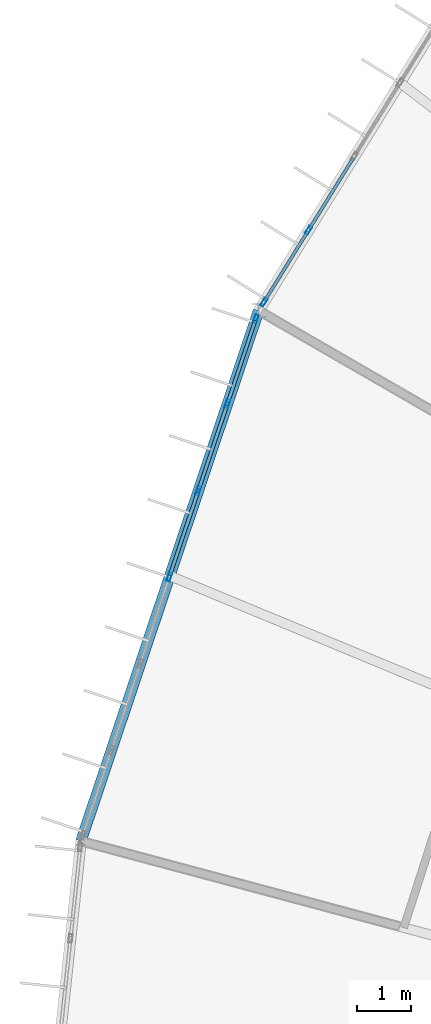
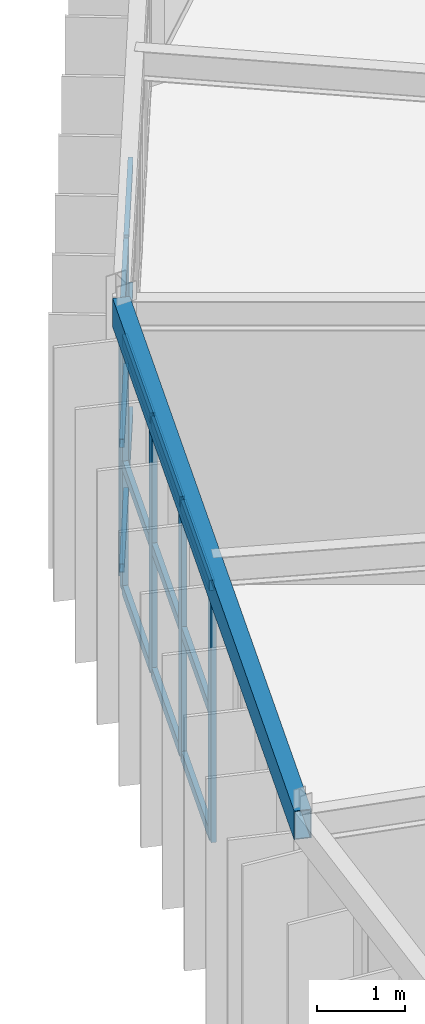
# One storey, part 54 of 106: 21 members, 1 beam, 2 elements without a shape of their own.
"""IFC4 building model written with IfcOpenShell, lengths in metres."""

import ifcopenshell
import ifcopenshell.guid

model = None  # the IFC model being written
_history = None  # IfcOwnerHistory: only IFC2X3 demands one
_inside = {}  # id of a spatial element -> (the spatial element, [elements in it])
_under = {}  # id of a project, library or spatial element -> (it, [spatial elements below it])
_declared = {}  # id of a project -> (the project, [libraries it declares])
_typed = {}  # id of a type object -> (the type object, [elements of that type])
_made_of = {}  # id of a material, layer set ... -> (it, [elements and type objects made of it])


def new_model(schema):
    """Start an empty IFC model of exactly this schema.

    Asked for "IFC4X3", IfcOpenShell would pick the latest addendum, in which some entities
    have other attributes; the version numbers below select the first issue.
    IFC2X3 requires an IfcOwnerHistory on every rooted entity: one is made here for all.
    """
    global model, _history
    if schema == "IFC4X3":
        model = ifcopenshell.file(schema_version=(4, 3, 0, 0))
    else:
        model = ifcopenshell.file(schema=schema)
    _inside.clear()
    _under.clear()
    _declared.clear()
    _typed.clear()
    _made_of.clear()
    _history = None
    if model.schema == "IFC2X3":
        org = make("IfcOrganization", Name="unknown")
        user = make(
            "IfcPersonAndOrganization",
            ThePerson=make("IfcPerson", FamilyName="unknown"),
            TheOrganization=org,
        )
        app = make(
            "IfcApplication",
            ApplicationDeveloper=org,
            Version="unknown",
            ApplicationFullName="unknown",
            ApplicationIdentifier="unknown",
        )
        _history = make(
            "IfcOwnerHistory",
            OwningUser=user,
            OwningApplication=app,
            ChangeAction="ADDED",
            CreationDate=0,
        )
    return model


def make(cls, **values):
    """One entity of the class cls with the attributes given. An attribute that is None is left unset."""
    return model.create_entity(
        cls, **{name: value for name, value in values.items() if value is not None}
    )


def rooted(cls, **values):
    """An entity with a GlobalId (a new one), such as an element, a storey or a relation."""
    return make(cls, GlobalId=ifcopenshell.guid.new(), OwnerHistory=_history, **values)


def si_unit(unit_type, name, prefix=None):
    """IfcSIUnit, for example si_unit("LENGTHUNIT", "METRE", prefix="MILLI")."""
    return make("IfcSIUnit", UnitType=unit_type, Prefix=prefix, Name=name)


def assignment(units):
    """IfcUnitAssignment: the units of a project."""
    return None if units is None else make("IfcUnitAssignment", Units=units)


def point(xyz):
    """IfcCartesianPoint."""
    return None if xyz is None else make("IfcCartesianPoint", Coordinates=xyz)


def direction(xyz):
    """IfcDirection."""
    return None if xyz is None else make("IfcDirection", DirectionRatios=xyz)


def frame(location, z_axis=None, x_axis=None):
    """IfcAxis2Placement3D, a coordinate frame: its origin and axes. An axis left out is left unset."""
    return make(
        "IfcAxis2Placement3D",
        Location=point(location),
        Axis=direction(z_axis),
        RefDirection=direction(x_axis),
    )


def frame_2d(location, x_axis=None):
    """IfcAxis2Placement2D, a coordinate frame in the plane: its origin and x axis."""
    return make(
        "IfcAxis2Placement2D", Location=point(location), RefDirection=direction(x_axis)
    )


def origin():
    """The frame at (0, 0, 0) with its axes left unset."""
    return frame((0.0, 0.0, 0.0))


def origin_2d():
    """The frame at (0, 0) in the plane with its x axis left unset."""
    return frame_2d((0.0, 0.0))


def place(relative_to, where):
    """IfcLocalPlacement: puts the frame where relative to a parent placement (None: the world)."""
    return make(
        "IfcLocalPlacement", PlacementRelTo=relative_to, RelativePlacement=where
    )


def context(
    kind, dimensions, precision=None, world=None, true_north=None, identifier=None
):
    """IfcGeometricRepresentationContext, for example the 3D "Model" context."""
    return make(
        "IfcGeometricRepresentationContext",
        ContextIdentifier=identifier,
        ContextType=kind,
        CoordinateSpaceDimension=dimensions,
        Precision=precision,
        WorldCoordinateSystem=world,
        TrueNorth=true_north,
    )


def subcontext(parent, identifier, kind, view, scale=None):
    """IfcGeometricRepresentationSubContext, for example "Body" below "Model"."""
    return make(
        "IfcGeometricRepresentationSubContext",
        ContextIdentifier=identifier,
        ContextType=kind,
        ParentContext=parent,
        TargetScale=scale,
        TargetView=view,
    )


def project(units=None, contexts=None):
    """IfcProject with its units and contexts."""
    return rooted(
        "IfcProject",
        Name="project",
        RepresentationContexts=contexts,
        UnitsInContext=assignment(units),
    )


def spatial(cls, under=None, at=None, **own):
    """A site, building, storey or space (cls), placed at a placement, below another one or the project."""
    s = rooted(cls, ObjectPlacement=at, **own)
    if under is not None:
        _under.setdefault(under.id(), (under, []))[1].append(s)
    return s


def profile(cls, at=None, kind="AREA", **sizes):
    """A parametric profile (cls). Its sizes go by their IFC names, for example OverallWidth=200.0."""
    return make(cls, ProfileType=kind, Position=at, **sizes)


def hollow_rectangle(**sizes):
    """IfcRectangleHollowProfileDef."""
    return profile("IfcRectangleHollowProfileDef", **sizes)


def extrude(swept, where, along, depth):
    """IfcExtrudedAreaSolid: the profile swept, set in the frame where, extruded along a direction by depth."""
    return make(
        "IfcExtrudedAreaSolid",
        SweptArea=swept,
        Position=where,
        ExtrudedDirection=direction(along),
        Depth=depth,
    )


def shape(context_of_items, identifier, shape_type, items):
    """IfcShapeRepresentation: the items that make up one representation, for example the "Body"."""
    return make(
        "IfcShapeRepresentation",
        ContextOfItems=context_of_items,
        RepresentationIdentifier=identifier,
        RepresentationType=shape_type,
        Items=items,
    )


def material(Name=None, Category=None):
    """IfcMaterial."""
    return make("IfcMaterial", Name=Name, Category=Category)


def material_profile(
    of_material, cross_section, Name=None, Category=None, Priority=None
):
    """IfcMaterialProfile: a cross section and its material."""
    return make(
        "IfcMaterialProfile",
        Name=Name,
        Material=of_material,
        Profile=cross_section,
        Priority=Priority,
        Category=Category,
    )


def profile_set(profiles, Name=None, composite=None):
    """IfcMaterialProfileSet."""
    return make(
        "IfcMaterialProfileSet",
        Name=Name,
        MaterialProfiles=profiles,
        CompositeProfile=composite,
    )


def made_of(thing, what):
    """Note that an element or type object is made of a material, layer set ...; save() writes the relation."""
    if what is not None:
        _made_of.setdefault(what.id(), (what, []))[1].append(thing)
    return thing


def type_object(cls, material=None, **own):
    """A type object (cls), such as IfcWallType, which elements share."""
    return made_of(rooted(cls, **own), material)


def element(
    cls,
    number,
    at=None,
    inside=None,
    cuts=None,
    type_object=None,
    material=None,
    context=None,
    identifier="Body",
    shape_type=None,
    held_by="IfcProductDefinitionShape",
    body=None,
    shapes=None,
    **own,
):
    """One element of the class cls, such as IfcWall. Its Tag is "e" and its number.

    at: its placement. inside: the storey or other place that contains it. cuts: it is an
    opening in that element (IfcRelVoidsElement). A single representation is given by context,
    identifier, shape_type and body (its items); several are given by shapes. held_by: the class
    of the entity that holds the representations. save() writes the other relations.
    """
    e = rooted(cls, Tag="e%d" % number, ObjectPlacement=at, **own)
    if body is not None:
        shapes = [shape(context, identifier, shape_type, body)]
    if shapes is not None:
        e.Representation = make(held_by, Representations=shapes)
    if inside is not None:
        _inside.setdefault(inside.id(), (inside, []))[1].append(e)
    if cuts is not None:
        rooted(
            "IfcRelVoidsElement", RelatingBuildingElement=cuts, RelatedOpeningElement=e
        )
    if type_object is not None:
        _typed.setdefault(type_object.id(), (type_object, []))[1].append(e)
    return made_of(e, material)


def aggregate(whole, parts):
    """IfcRelAggregates: a whole, such as a stair, and the parts it consists of."""
    return rooted("IfcRelAggregates", RelatingObject=whole, RelatedObjects=parts)


def save(model, path):
    """Write the relations noted so far, then the file.

    IfcRelAggregates (storeys below a building ...), IfcRelContainedInSpatialStructure (elements
    in a storey), IfcRelDefinesByType, IfcRelAssociatesMaterial and IfcRelDeclares: one each for
    every whole, place, type object, material and project.
    """
    for whole, parts in _under.values():
        aggregate(whole, parts)
    for where, things in _inside.values():
        rooted(
            "IfcRelContainedInSpatialStructure",
            RelatedElements=things,
            RelatingStructure=where,
        )
    for kind, things in _typed.values():
        rooted("IfcRelDefinesByType", RelatedObjects=things, RelatingType=kind)
    for what, things in _made_of.values():
        rooted("IfcRelAssociatesMaterial", RelatedObjects=things, RelatingMaterial=what)
    for by, libraries in _declared.values():
        rooted("IfcRelDeclares", RelatingContext=by, RelatedDefinitions=libraries)
    model.write(path)


model = new_model("IFC4")

# Units and contexts
model_context = context("Model", 3, precision=1e-05, world=origin(), true_north=direction((0.0, 1.0)))
body_context = subcontext(model_context, "Body", "Model", "MODEL_VIEW")
ifc_project = project(units=[si_unit("LENGTHUNIT", "METRE"), si_unit("AREAUNIT", "SQUARE_METRE"), si_unit("VOLUMEUNIT", "CUBIC_METRE"), si_unit("PLANEANGLEUNIT", "RADIAN"), si_unit("MASSUNIT", "GRAM", prefix="KILO")], contexts=[model_context])

# Site, building, storey
site_placement = place(None, origin())
site = spatial("IfcSite", under=ifc_project, at=site_placement, CompositionType="ELEMENT")
building_placement = place(site_placement, origin())
building = spatial("IfcBuilding", under=site, at=building_placement, Name="Karori Crest Natural Sciences Institute", CompositionType="ELEMENT")
storey_placement = place(building_placement, frame((0.0, 0.0, 25.89990234375)))
storey = spatial("IfcBuildingStorey", under=building, at=storey_placement, Name="L06", CompositionType="ELEMENT", Elevation=25.89990234375)

# Beam
ifc_material_1 = material(Name="Hollow structural steel AS/NZS 1163 Grade C350", Category="steel")
ifc_material_profile_1 = material_profile(ifc_material_1, hollow_rectangle(XDim=0.199951171875, YDim=0.39990234375, WallThickness=0.012451171875, at=origin_2d()), Name="RHS400x200x12.5")
ifc_profile_set_1 = profile_set([ifc_material_profile_1], Name="Hollow structural steel AS/NZS 1163 Grade C350")
beam_type = type_object("IfcBeamType", Name="BT-14", PredefinedType="SPANDREL", material=ifc_profile_set_1)
beam_placement = place(storey_placement, frame((37.8212890625, 70.300048828125, 3.739990234375), z_axis=(-0.317681238028, -0.948197569605, 0.0), x_axis=(0.948197569605, -0.317681238028, 0.0)))
element("IfcBeam", 1, at=beam_placement, inside=storey, type_object=beam_type, Name="Beam B-0674", PredefinedType="SPANDREL", context=body_context, shape_type="SweptSolid", body=[
    extrude(hollow_rectangle(XDim=0.199951171875, YDim=0.39990234375, WallThickness=0.012451171875, at=origin_2d()), origin(), (0.0, 0.0, 1.0), 10.3779296875),
])

# Curtain wall, members
ifc_material_2 = material(Name="Anodised architectural aluminium 6063-T6", Category="aluminium")
curtain_wall_type_1 = type_object("IfcCurtainWallType", Name="CWT-10", PredefinedType="NOTDEFINED", material=ifc_material_2)
curtain_wall_1_placement = place(storey_placement, origin())
curtain_wall_1 = element("IfcCurtainWall", 2, at=curtain_wall_1_placement, inside=storey, type_object=curtain_wall_type_1, Name="Curtain wall CW-0234", PredefinedType="NOTDEFINED")
ifc_material_profile_2 = material_profile(ifc_material_2, hollow_rectangle(XDim=0.06494140625, YDim=0.159912109375, WallThickness=0.00390625, at=origin_2d()), Name="CWM160x65x4")
ifc_profile_set_2 = profile_set([ifc_material_profile_2], Name="Anodised architectural aluminium 6063-T6")
member_type_1 = type_object("IfcMemberType", Name="CWM-01", PredefinedType="MULLION", material=ifc_profile_set_2)
member_1_placement = place(storey_placement, frame((37.916259765625, 70.452880859375, 0.0), z_axis=(0.0, 0.0, 1.0), x_axis=(-0.849664350398, 0.527323896352, 0.0)))
member_1 = element("IfcMember", 3, at=member_1_placement, type_object=member_type_1, Name="CW-0234 mullion 1", PredefinedType="MULLION", context=body_context, shape_type="SweptSolid", body=[
    extrude(hollow_rectangle(XDim=0.06494140625, YDim=0.159912109375, WallThickness=0.00390625, at=origin_2d()), origin(), (0.0, 0.0, 1.0), 3.525146484375),
])
member_2_placement = place(storey_placement, frame((38.746826171875, 71.791259765625, 0.0), z_axis=(0.0, 0.0, 1.0), x_axis=(-0.849664350398, 0.527323896352, 0.0)))
member_2 = element("IfcMember", 4, at=member_2_placement, type_object=member_type_1, Name="CW-0234 mullion 2", PredefinedType="MULLION", context=body_context, shape_type="SweptSolid", body=[
    extrude(hollow_rectangle(XDim=0.06494140625, YDim=0.159912109375, WallThickness=0.00390625, at=origin_2d()), origin(), (0.0, 0.0, 1.0), 3.525146484375),
])

curtain_wall_type_2 = type_object("IfcCurtainWallType", Name="CWT-01", PredefinedType="NOTDEFINED", material=ifc_material_2)
curtain_wall_2_placement = place(storey_placement, origin())
curtain_wall_2 = element("IfcCurtainWall", 5, at=curtain_wall_2_placement, inside=storey, type_object=curtain_wall_type_2, Name="Curtain wall CW-0235", PredefinedType="NOTDEFINED")
member_3_placement = place(storey_placement, frame((36.1650390625, 65.35693359375, 0.0), z_axis=(0.0, 0.0, 1.0), x_axis=(-0.94819805026, 0.317679803392, 0.0)))
member_3 = element("IfcMember", 6, at=member_3_placement, type_object=member_type_1, Name="CW-0235 mullion 4", PredefinedType="MULLION", context=body_context, shape_type="SweptSolid", body=[
    extrude(hollow_rectangle(XDim=0.06494140625, YDim=0.159912109375, WallThickness=0.00390625, at=origin_2d()), origin(), (0.0, 0.0, 1.0), 3.525146484375),
])
member_4_placement = place(storey_placement, frame((36.703125, 66.962890625, 0.0), z_axis=(0.0, 0.0, 1.0), x_axis=(-0.94819805026, 0.317679803392, 0.0)))
member_4 = element("IfcMember", 7, at=member_4_placement, type_object=member_type_1, Name="CW-0235 mullion 5", PredefinedType="MULLION", context=body_context, shape_type="SweptSolid", body=[
    extrude(hollow_rectangle(XDim=0.06494140625, YDim=0.159912109375, WallThickness=0.00390625, at=origin_2d()), origin(), (0.0, 0.0, 1.0), 3.525146484375),
])
member_5_placement = place(storey_placement, frame((37.2412109375, 68.56884765625, 0.0), z_axis=(0.0, 0.0, 1.0), x_axis=(-0.94819805026, 0.317679803392, 0.0)))
member_5 = element("IfcMember", 8, at=member_5_placement, type_object=member_type_1, Name="CW-0235 mullion 6", PredefinedType="MULLION", context=body_context, shape_type="SweptSolid", body=[
    extrude(hollow_rectangle(XDim=0.06494140625, YDim=0.159912109375, WallThickness=0.00390625, at=origin_2d()), origin(), (0.0, 0.0, 1.0), 3.525146484375),
])
member_6_placement = place(storey_placement, frame((37.76904296875, 70.14404296875, 0.0), z_axis=(0.0, 0.0, 1.0), x_axis=(-0.94819805026, 0.317679803392, 0.0)))
member_6 = element("IfcMember", 9, at=member_6_placement, type_object=member_type_1, Name="CW-0235 mullion 7", PredefinedType="MULLION", context=body_context, shape_type="SweptSolid", body=[
    extrude(hollow_rectangle(XDim=0.06494140625, YDim=0.159912109375, WallThickness=0.00390625, at=origin_2d()), origin(), (0.0, 0.0, 1.0), 3.525146484375),
])

# Member
ifc_material_profile_3 = material_profile(ifc_material_2, hollow_rectangle(XDim=0.06005859375, YDim=0.1201171875, WallThickness=0.00390625, at=origin_2d()), Name="CWT120x60x4")
ifc_profile_set_3 = profile_set([ifc_material_profile_3], Name="Anodised architectural aluminium 6063-T6")
member_type_2 = type_object("IfcMemberType", Name="CWT-TR1", PredefinedType="USERDEFINED", material=ifc_profile_set_3)
member_7_placement = place(storey_placement, frame((37.933349609375, 70.48046875, 0.030029296875), z_axis=(0.52732262058, 0.849665142173, 0.0), x_axis=(-0.849665142173, 0.52732262058, 0.0)))
member_7 = element("IfcMember", 10, at=member_7_placement, type_object=member_type_2, Name="CW-0234 transom 1.1", ObjectType="TRANSOM", PredefinedType="USERDEFINED", context=body_context, shape_type="SweptSolid", body=[
    extrude(hollow_rectangle(XDim=0.06005859375, YDim=0.1201171875, WallThickness=0.00390625, at=origin_2d()), origin(), (0.0, 0.0, 1.0), 1.51025390625),
])

member_8_placement = place(storey_placement, frame((37.933349609375, 70.48046875, 1.7626953125), z_axis=(0.52732262058, 0.849665142173, 0.0), x_axis=(-0.849665142173, 0.52732262058, 0.0)))
member_8 = element("IfcMember", 11, at=member_8_placement, type_object=member_type_2, Name="CW-0234 transom 1.2", ObjectType="TRANSOM", PredefinedType="USERDEFINED", context=body_context, shape_type="SweptSolid", body=[
    extrude(hollow_rectangle(XDim=0.06005859375, YDim=0.1201171875, WallThickness=0.00390625, at=origin_2d()), origin(), (0.0, 0.0, 1.0), 1.51025390625),
])

member_9_placement = place(storey_placement, frame((37.933349609375, 70.48046875, 3.4951171875), z_axis=(0.52732262058, 0.849665142173, 0.0), x_axis=(-0.849665142173, 0.52732262058, 0.0)))
member_9 = element("IfcMember", 12, at=member_9_placement, type_object=member_type_2, Name="CW-0234 transom 1.3", ObjectType="TRANSOM", PredefinedType="USERDEFINED", context=body_context, shape_type="SweptSolid", body=[
    extrude(hollow_rectangle(XDim=0.06005859375, YDim=0.1201171875, WallThickness=0.00390625, at=origin_2d()), origin(), (0.0, 0.0, 1.0), 1.51025390625),
])

member_10_placement = place(storey_placement, frame((38.763916015625, 71.819091796875, 0.030029296875), z_axis=(0.527307708925, 0.849674396524, 0.0), x_axis=(-0.849674396524, 0.527307708925, 0.0)))
member_10 = element("IfcMember", 13, at=member_10_placement, type_object=member_type_2, Name="CW-0234 transom 2.1", ObjectType="TRANSOM", PredefinedType="USERDEFINED", context=body_context, shape_type="SweptSolid", body=[
    extrude(hollow_rectangle(XDim=0.06005859375, YDim=0.1201171875, WallThickness=0.00390625, at=origin_2d()), origin(), (0.0, 0.0, 1.0), 1.542724609375),
])

member_11_placement = place(storey_placement, frame((38.763916015625, 71.819091796875, 1.7626953125), z_axis=(0.527307708925, 0.849674396524, 0.0), x_axis=(-0.849674396524, 0.527307708925, 0.0)))
member_11 = element("IfcMember", 14, at=member_11_placement, type_object=member_type_2, Name="CW-0234 transom 2.2", ObjectType="TRANSOM", PredefinedType="USERDEFINED", context=body_context, shape_type="SweptSolid", body=[
    extrude(hollow_rectangle(XDim=0.06005859375, YDim=0.1201171875, WallThickness=0.00390625, at=origin_2d()), origin(), (0.0, 0.0, 1.0), 1.542724609375),
])

member_12_placement = place(storey_placement, frame((38.763916015625, 71.819091796875, 3.4951171875), z_axis=(0.527307708925, 0.849674396524, 0.0), x_axis=(-0.849674396524, 0.527307708925, 0.0)))
member_12 = element("IfcMember", 15, at=member_12_placement, type_object=member_type_2, Name="CW-0234 transom 2.3", ObjectType="TRANSOM", PredefinedType="USERDEFINED", context=body_context, shape_type="SweptSolid", body=[
    extrude(hollow_rectangle(XDim=0.06005859375, YDim=0.1201171875, WallThickness=0.00390625, at=origin_2d()), origin(), (0.0, 0.0, 1.0), 1.542724609375),
])

aggregate(curtain_wall_1, [member_1, member_2, member_7, member_8, member_9, member_10, member_11, member_12])

ifc_material_profile_4 = material_profile(ifc_material_2, hollow_rectangle(XDim=0.06494140625, YDim=0.14990234375, WallThickness=0.00390625, at=origin_2d()), Name="CWT150x65x4")
ifc_profile_set_4 = profile_set([ifc_material_profile_4], Name="Anodised architectural aluminium 6063-T6")
member_type_3 = type_object("IfcMemberType", Name="CWT-TR2", PredefinedType="USERDEFINED", material=ifc_profile_set_4)
member_13_placement = place(storey_placement, frame((36.175537109375, 65.3876953125, 0.03271484375), z_axis=(0.317621421426, 0.948217608279, 0.0), x_axis=(-0.948217608279, 0.317621421426, 0.0)))
member_13 = element("IfcMember", 16, at=member_13_placement, type_object=member_type_3, Name="CW-0235 transom 4.1", ObjectType="TRANSOM", PredefinedType="USERDEFINED", context=body_context, shape_type="SweptSolid", body=[
    extrude(hollow_rectangle(XDim=0.06494140625, YDim=0.14990234375, WallThickness=0.00390625, at=origin_2d()), origin(), (0.0, 0.0, 1.0), 1.628662109375),
])

member_14_placement = place(storey_placement, frame((36.175537109375, 65.3876953125, 1.7626953125), z_axis=(0.317621421426, 0.948217608279, 0.0), x_axis=(-0.948217608279, 0.317621421426, 0.0)))
member_14 = element("IfcMember", 17, at=member_14_placement, type_object=member_type_3, Name="CW-0235 transom 4.2", ObjectType="TRANSOM", PredefinedType="USERDEFINED", context=body_context, shape_type="SweptSolid", body=[
    extrude(hollow_rectangle(XDim=0.06494140625, YDim=0.14990234375, WallThickness=0.00390625, at=origin_2d()), origin(), (0.0, 0.0, 1.0), 1.628662109375),
])

member_15_placement = place(storey_placement, frame((36.175537109375, 65.3876953125, 3.49267578125), z_axis=(0.317621421426, 0.948217608279, 0.0), x_axis=(-0.948217608279, 0.317621421426, 0.0)))
member_15 = element("IfcMember", 18, at=member_15_placement, type_object=member_type_3, Name="CW-0235 transom 4.3", ObjectType="TRANSOM", PredefinedType="USERDEFINED", context=body_context, shape_type="SweptSolid", body=[
    extrude(hollow_rectangle(XDim=0.06494140625, YDim=0.14990234375, WallThickness=0.00390625, at=origin_2d()), origin(), (0.0, 0.0, 1.0), 1.628662109375),
])

member_16_placement = place(storey_placement, frame((36.71337890625, 66.99365234375, 0.03271484375), z_axis=(0.317756182308, 0.948172457207, 0.0), x_axis=(-0.948172457207, 0.317756182308, 0.0)))
member_16 = element("IfcMember", 19, at=member_16_placement, type_object=member_type_3, Name="CW-0235 transom 5.1", ObjectType="TRANSOM", PredefinedType="USERDEFINED", context=body_context, shape_type="SweptSolid", body=[
    extrude(hollow_rectangle(XDim=0.06494140625, YDim=0.14990234375, WallThickness=0.00390625, at=origin_2d()), origin(), (0.0, 0.0, 1.0), 1.62890625),
])

member_17_placement = place(storey_placement, frame((36.71337890625, 66.99365234375, 1.7626953125), z_axis=(0.317756182308, 0.948172457207, 0.0), x_axis=(-0.948172457207, 0.317756182308, 0.0)))
member_17 = element("IfcMember", 20, at=member_17_placement, type_object=member_type_3, Name="CW-0235 transom 5.2", ObjectType="TRANSOM", PredefinedType="USERDEFINED", context=body_context, shape_type="SweptSolid", body=[
    extrude(hollow_rectangle(XDim=0.06494140625, YDim=0.14990234375, WallThickness=0.00390625, at=origin_2d()), origin(), (0.0, 0.0, 1.0), 1.62890625),
])

member_18_placement = place(storey_placement, frame((36.71337890625, 66.99365234375, 3.49267578125), z_axis=(0.317756182308, 0.948172457207, 0.0), x_axis=(-0.948172457207, 0.317756182308, 0.0)))
member_18 = element("IfcMember", 21, at=member_18_placement, type_object=member_type_3, Name="CW-0235 transom 5.3", ObjectType="TRANSOM", PredefinedType="USERDEFINED", context=body_context, shape_type="SweptSolid", body=[
    extrude(hollow_rectangle(XDim=0.06494140625, YDim=0.14990234375, WallThickness=0.00390625, at=origin_2d()), origin(), (0.0, 0.0, 1.0), 1.62890625),
])

member_19_placement = place(storey_placement, frame((37.25146484375, 68.599609375, 0.03271484375), z_axis=(0.317649722808, 0.948208127786, 0.0), x_axis=(-0.948208127786, 0.317649722808, 0.0)))
member_19 = element("IfcMember", 22, at=member_19_placement, type_object=member_type_3, Name="CW-0235 transom 6.1", ObjectType="TRANSOM", PredefinedType="USERDEFINED", context=body_context, shape_type="SweptSolid", body=[
    extrude(hollow_rectangle(XDim=0.06494140625, YDim=0.14990234375, WallThickness=0.00390625, at=origin_2d()), origin(), (0.0, 0.0, 1.0), 1.596435546875),
])

member_20_placement = place(storey_placement, frame((37.25146484375, 68.599609375, 1.7626953125), z_axis=(0.317649722808, 0.948208127786, 0.0), x_axis=(-0.948208127786, 0.317649722808, 0.0)))
member_20 = element("IfcMember", 23, at=member_20_placement, type_object=member_type_3, Name="CW-0235 transom 6.2", ObjectType="TRANSOM", PredefinedType="USERDEFINED", context=body_context, shape_type="SweptSolid", body=[
    extrude(hollow_rectangle(XDim=0.06494140625, YDim=0.14990234375, WallThickness=0.00390625, at=origin_2d()), origin(), (0.0, 0.0, 1.0), 1.596435546875),
])

member_21_placement = place(storey_placement, frame((37.25146484375, 68.599609375, 3.49267578125), z_axis=(0.317649722808, 0.948208127786, 0.0), x_axis=(-0.948208127786, 0.317649722808, 0.0)))
member_21 = element("IfcMember", 24, at=member_21_placement, type_object=member_type_3, Name="CW-0235 transom 6.3", ObjectType="TRANSOM", PredefinedType="USERDEFINED", context=body_context, shape_type="SweptSolid", body=[
    extrude(hollow_rectangle(XDim=0.06494140625, YDim=0.14990234375, WallThickness=0.00390625, at=origin_2d()), origin(), (0.0, 0.0, 1.0), 1.596435546875),
])

aggregate(curtain_wall_2, [member_3, member_4, member_5, member_6, member_13, member_14, member_15, member_16, member_17, member_18, member_19, member_20, member_21])

save(model, "model.ifc")
